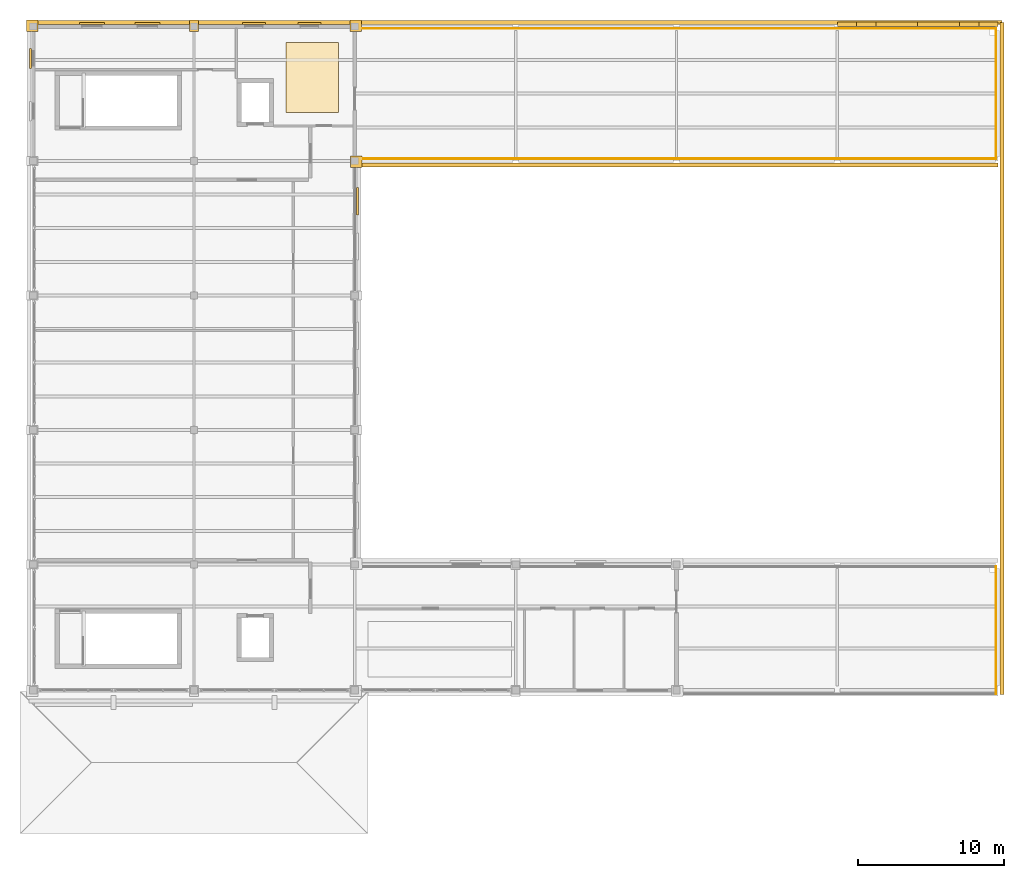
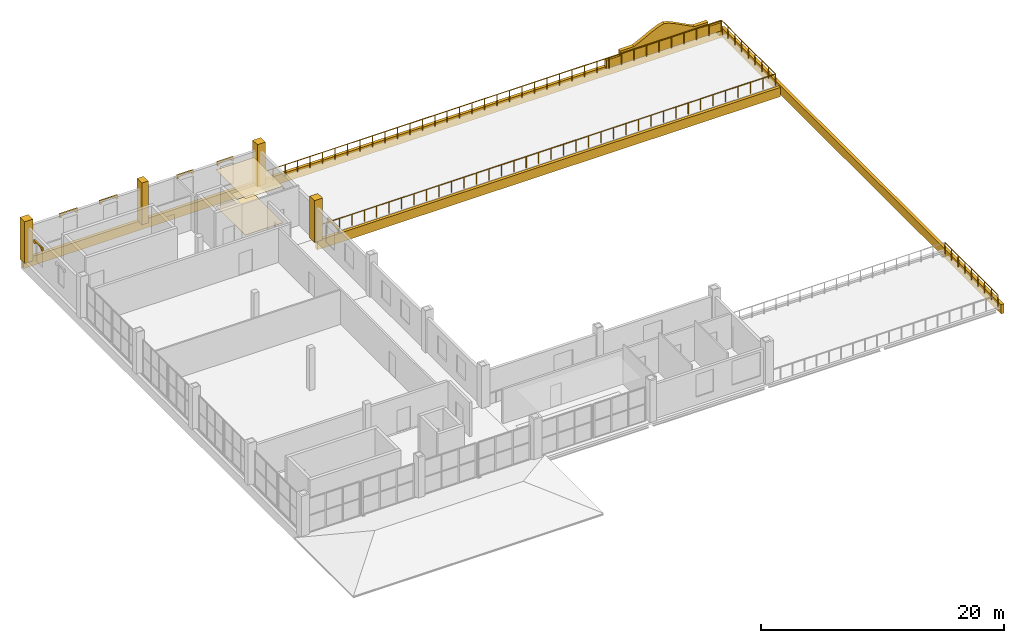
# One storey, part 26 of 26: 16 coverings, 4 railings.
"""IFC4 building model written with IfcOpenShell, lengths in metres."""

from ifc_helpers import new_model, si_unit, direction, frame, frame_2d, origin, origin_2d, place, context, subcontext, project, spatial, polyline, rectangle, circle, outline, extrude, material, layer, layer_set, type_object, element, save


model = new_model("IFC4")

# Units and contexts
model_context = context("Model", 3, precision=1e-05, world=origin(), true_north=direction((0.0, 1.0)))
body_context = subcontext(model_context, "Body", "Model", "MODEL_VIEW")
ifc_project = project(units=[si_unit("LENGTHUNIT", "METRE"), si_unit("AREAUNIT", "SQUARE_METRE"), si_unit("VOLUMEUNIT", "CUBIC_METRE"), si_unit("PLANEANGLEUNIT", "RADIAN"), si_unit("MASSUNIT", "GRAM", prefix="KILO")], contexts=[model_context])

# Site, building, storey
site_placement = place(None, origin())
site = spatial("IfcSite", under=ifc_project, at=site_placement, CompositionType="ELEMENT")
building_placement = place(site_placement, origin())
building = spatial("IfcBuilding", under=site, at=building_placement, Name="Caurita Quay Ferry Terminal", CompositionType="ELEMENT")
storey_placement = place(building_placement, frame((0.0, 0.0, 18.300048828125)))
storey = spatial("IfcBuildingStorey", under=building, at=storey_placement, Name="L04", CompositionType="ELEMENT", Elevation=18.300048828125)

# Coverings
ifc_material_1 = material(Name="Acoustic mineral fibre tile", Category="finish")
ifc_layer_1 = layer(ifc_material_1, 0.02001953125, Name="Acoustic mineral-fibre suspended ceiling 20 mm")
ifc_layer_set_1 = layer_set([ifc_layer_1], Name="Acoustic mineral fibre tile")
covering_type_1 = type_object("IfcCoveringType", Name="COV-CEIL-020", PredefinedType="CEILING", material=ifc_layer_set_1)
covering_1_placement = place(storey_placement, frame((0.0, 0.0, 3.66455078125)))
element("IfcCovering", 1, at=covering_1_placement, inside=storey, type_object=covering_type_1, Name="Port Emergency Radio and AIS Equipment Room Acoustic Ceiling", PredefinedType="CEILING", context=body_context, shape_type="SweptSolid", body=[
    extrude(outline(polyline([(17.300048828125, 111.10009765625), (20.89990234375, 111.10009765625), (20.89990234375, 115.89990234375), (17.300048828125, 115.89990234375), (17.300048828125, 111.10009765625)])), origin(), (0.0, 0.0, 1.0), 0.02001953125),
])
ifc_material_2 = material(Name="Coral stone ashlar cladding", Category="masonry")
ifc_layer_2 = layer(ifc_material_2, 0.239990234375, Name="Classical coral-stone entablature and cornice moulding 240 mm")
ifc_layer_set_2 = layer_set([ifc_layer_2], Name="Coral stone ashlar cladding")
covering_type_2 = type_object("IfcCoveringType", Name="COV-ENT-MLD", PredefinedType="MOLDING", material=ifc_layer_set_2)
covering_2_placement = place(storey_placement, frame((66.25, 117.280029296875, -0.85009765625), z_axis=(0.0, 0.0, 1.0), x_axis=(-1.0, 0.0, 0.0)))
element("IfcCovering", 2, at=covering_2_placement, inside=storey, type_object=covering_type_2, Name="L04 Classical Entablature Cornice 004", PredefinedType="MOLDING", context=body_context, shape_type="SweptSolid", body=[
    extrude(rectangle(XDim=66.530029296875, YDim=0.280029296875, at=frame_2d((33.26513671875, 0.0))), origin(), (0.0, 0.0, 1.0), 0.929931640625),
])
covering_3_placement = place(storey_placement, frame((66.260009765625, 71.300048828125, -0.85009765625), z_axis=(0.0, 0.0, 1.0), x_axis=(0.0, 1.0, 0.0)))
element("IfcCovering", 3, at=covering_3_placement, inside=storey, type_object=covering_type_2, Name="L04 Classical Entablature Cornice 014", PredefinedType="MOLDING", context=body_context, shape_type="SweptSolid", body=[
    extrude(rectangle(XDim=45.97998046875, YDim=0.280029296875, at=frame_2d((22.989990234375, 0.0))), origin(), (0.0, 0.0, 1.0), 0.929931640625),
])
covering_4_placement = place(storey_placement, frame((66.0, 107.52001953125, -0.85009765625), z_axis=(0.0, 0.0, 1.0), x_axis=(-1.0, 0.0, 0.0)))
element("IfcCovering", 4, at=covering_4_placement, inside=storey, type_object=covering_type_2, Name="L04 Classical Entablature Cornice 032", PredefinedType="MOLDING", context=body_context, shape_type="SweptSolid", body=[
    extrude(rectangle(XDim=44.0, YDim=0.280029296875, at=frame_2d((22.0, 0.0))), origin(), (0.0, 0.0, 1.0), 0.929931640625),
])
ifc_material_3 = material(Name="Warm-white lime stucco masonry", Category="masonry")
ifc_layer_3 = layer(ifc_material_3, 0.280029296875, Name="Shaped Spanish Colonial espadana mission parapet gable 280 mm")
ifc_layer_set_3 = layer_set([ifc_layer_3], Name="Warm-white lime stucco masonry")
covering_type_3 = type_object("IfcCoveringType", Name="COV-ESP-MLD", PredefinedType="MOLDING", material=ifc_layer_set_3)
covering_5_placement = place(storey_placement, frame((66.0, 117.14990234375, -0.050048828125), z_axis=(0.0, 0.0, 1.0), x_axis=(-1.0, 0.0, 0.0)))
element("IfcCovering", 5, at=covering_5_placement, inside=storey, type_object=covering_type_3, Name="North Street Upper Espadana Mission Gable 072", PredefinedType="MOLDING", context=body_context, shape_type="SweptSolid", body=[
    extrude(outline(polyline([(0.0, 0.0), (11.0, 0.0), (11.0, 0.85009765625), (9.679931640625, 0.85009765625), (9.679931640625, 1.330078125), (8.360107421875, 1.330078125), (7.47998046875, 1.77001953125), (6.60009765625, 2.22998046875), (5.93994140625, 2.530029296875), (5.5, 2.630126953125), (5.06005859375, 2.530029296875), (4.39990234375, 2.22998046875), (3.52001953125, 1.77001953125), (2.639892578125, 1.330078125), (1.320068359375, 1.330078125), (1.320068359375, 0.85009765625), (0.0, 0.85009765625), (0.0, 0.0)])), frame((0.0, 0.16015625, 0.0), z_axis=(0.0, -1.0, 0.0), x_axis=(1.0, 0.0, 0.0)), (0.0, 0.0, 1.0), 0.320068359375),
])
ifc_material_4 = material(Name="Polished marine terrazzo tile", Category="finish")
ifc_layer_4 = layer(ifc_material_4, 0.02490234375, Name="Polished marine terrazzo floor finish 25 mm")
ifc_layer_set_4 = layer_set([ifc_layer_4], Name="Polished marine terrazzo tile")
covering_type_4 = type_object("IfcCoveringType", Name="COV-FLR-025", PredefinedType="FLOORING", material=ifc_layer_set_4)
covering_6_placement = place(storey_placement, origin())
element("IfcCovering", 6, at=covering_6_placement, inside=storey, type_object=covering_type_4, Name="Port Emergency Radio and AIS Equipment Room Terrazzo Flooring", PredefinedType="FLOORING", context=body_context, shape_type="SweptSolid", body=[
    extrude(outline(polyline([(17.300048828125, 111.10009765625), (20.89990234375, 111.10009765625), (20.89990234375, 115.89990234375), (17.300048828125, 115.89990234375), (17.300048828125, 111.10009765625)])), origin(), (0.0, 0.0, 1.0), 0.02490234375),
])
ifc_layer_5 = layer(ifc_material_3, 0.179931640625, Name="Classical engaged lime-stucco facade pilaster cladding 180 mm")
ifc_layer_set_5 = layer_set([ifc_layer_5], Name="Warm-white lime stucco masonry")
covering_type_5 = type_object("IfcCoveringType", Name="COV-PIL-CLD", PredefinedType="CLADDING", material=ifc_layer_set_5)
covering_7_placement = place(storey_placement, frame((-0.050048828125, 117.050048828125, 0.0), z_axis=(0.0, 0.0, 1.0), x_axis=(1.0, 0.0, 0.0)))
element("IfcCovering", 7, at=covering_7_placement, inside=storey, type_object=covering_type_5, Name="L04 Classical Engaged Pilaster 0295", PredefinedType="CLADDING", context=body_context, shape_type="SweptSolid", body=[
    extrude(rectangle(XDim=0.780029296875, YDim=0.780029296875, at=origin_2d()), origin(), (0.0, 0.0, 1.0), 4.199951171875),
])
covering_8_placement = place(storey_placement, frame((11.0, 117.050048828125, 0.0), z_axis=(0.0, 0.0, 1.0), x_axis=(1.0, 0.0, 0.0)))
element("IfcCovering", 8, at=covering_8_placement, inside=storey, type_object=covering_type_5, Name="L04 Classical Engaged Pilaster 0305", PredefinedType="CLADDING", context=body_context, shape_type="SweptSolid", body=[
    extrude(rectangle(XDim=0.6201171875, YDim=0.780029296875, at=origin_2d()), origin(), (0.0, 0.0, 1.0), 4.199951171875),
])
for number, where, z_axis, x_axis, name in (
    (9, (22.10009765625, 107.75, 0.0), (0.0, 0.0, 1.0), (1.0, 0.0, 0.0), "L04 Classical Engaged Pilaster 0322"),
    (10, (22.050048828125, 117.050048828125, 0.0), (0.0, 0.0, 1.0), (1.0, 0.0, 0.0), "L04 Classical Engaged Pilaster 0327"),
):
    element("IfcCovering", number, at=place(storey_placement, frame(where, z_axis=z_axis, x_axis=x_axis)), inside=storey, type_object=covering_type_5, Name=name, PredefinedType="CLADDING", context=body_context, shape_type="SweptSolid", body=[
        extrude(rectangle(XDim=0.780029296875, YDim=0.780029296875, at=origin_2d()), origin(), (0.0, 0.0, 1.0), 4.199951171875),
    ])
ifc_layer_6 = layer(ifc_material_2, 0.139892578125, Name="Spanish Colonial semicircular arched window surround 140 mm")
ifc_layer_set_6 = layer_set([ifc_layer_6], Name="Coral stone ashlar cladding")
covering_type_6 = type_object("IfcCoveringType", Name="COV-WHD-MLD", PredefinedType="MOLDING", material=ifc_layer_set_6)
for number, where, z_axis, x_axis, name in (
    (11, (8.679931640625, 117.18994140625, 3.030029296875), (0.0, 0.0, 1.0), (-1.0, 0.0, 0.0), "L04 Arched Window Surround 023"),
    (12, (4.8798828125, 117.18994140625, 3.030029296875), (0.0, 0.0, 1.0), (-1.0, 0.0, 0.0), "L04 Arched Window Surround 024"),
):
    element("IfcCovering", number, at=place(storey_placement, frame(where, z_axis=z_axis, x_axis=x_axis)), inside=storey, type_object=covering_type_6, Name=name, PredefinedType="MOLDING", context=body_context, shape_type="SweptSolid", body=[
        extrude(outline(polyline([(0.0, 0.0), (0.159912109375, 0.0), (0.159912109375, 0.0400390625), (0.194091796875, 0.12548828125), (0.292724609375, 0.202880859375), (0.446533203125, 0.26416015625), (0.64013671875, 0.303466796875), (0.85498046875, 0.31689453125), (1.06982421875, 0.303466796875), (1.263427734375, 0.26416015625), (1.417236328125, 0.202880859375), (1.515869140625, 0.12548828125), (1.550048828125, 0.0400390625), (1.550048828125, 0.0), (1.7099609375, 0.0), (1.7099609375, 0.396484375), (0.0, 0.396484375), (0.0, 0.0)])), frame((0.0, 0.06982421875, 0.0), z_axis=(0.0, -1.0, 0.0), x_axis=(1.0, 0.0, 0.0)), (0.0, 0.0, 1.0), 0.139892578125),
    ])
for number, where, z_axis, x_axis, name in (
    (13, (19.679931640625, 117.18994140625, 3.030029296875), (0.0, 0.0, 1.0), (-1.0, 0.0, 0.0), "L04 Arched Window Surround 025"),
    (14, (15.8798828125, 117.18994140625, 3.030029296875), (0.0, 0.0, 1.0), (-1.0, 0.0, 0.0), "L04 Arched Window Surround 026"),
):
    element("IfcCovering", number, at=place(storey_placement, frame(where, z_axis=z_axis, x_axis=x_axis)), inside=storey, type_object=covering_type_6, Name=name, PredefinedType="MOLDING", context=body_context, shape_type="SweptSolid", body=[
        extrude(outline(polyline([(0.0, 0.0), (0.159912109375, 0.0), (0.159912109375, 0.0400390625), (0.1904296875, 0.12158203125), (0.2783203125, 0.195068359375), (0.41552734375, 0.253662109375), (0.58837890625, 0.291015625), (0.77978515625, 0.303955078125), (0.971435546875, 0.291015625), (1.144287109375, 0.253662109375), (1.281494140625, 0.195068359375), (1.369384765625, 0.12158203125), (1.39990234375, 0.0400390625), (1.39990234375, 0.0), (1.559814453125, 0.0), (1.559814453125, 0.384033203125), (0.0, 0.384033203125), (0.0, 0.0)])), frame((0.0, 0.06982421875, 0.0), z_axis=(0.0, -1.0, 0.0), x_axis=(1.0, 0.0, 0.0)), (0.0, 0.0, 1.0), 0.139892578125),
    ])
covering_9_placement = place(storey_placement, frame((-0.18994140625, 115.4951171875, 2.72998046875), z_axis=(0.0, 0.0, 1.0), x_axis=(0.0, -1.0, 0.0)))
element("IfcCovering", 15, at=covering_9_placement, inside=storey, type_object=covering_type_6, Name="L04 Arched Window Surround 054", PredefinedType="MOLDING", context=body_context, shape_type="SweptSolid", body=[
    extrude(outline(polyline([(0.0, 0.0), (0.159912109375, 0.0), (0.159912109375, 0.0400390625), (0.185546875, 0.101806640625), (0.25927734375, 0.157470703125), (0.374267578125, 0.201904296875), (0.519287109375, 0.230224609375), (0.679931640625, 0.239990234375), (0.8408203125, 0.230224609375), (0.98583984375, 0.201904296875), (1.100830078125, 0.157470703125), (1.174560546875, 0.101806640625), (1.2001953125, 0.0400390625), (1.2001953125, 0.0), (1.360107421875, 0.0), (1.360107421875, 0.320068359375), (0.0, 0.320068359375), (0.0, 0.0)])), frame((0.0, 0.06982421875, 0.0), z_axis=(0.0, -1.0, 0.0), x_axis=(1.0, 0.0, 0.0)), (0.0, 0.0, 1.0), 0.139892578125),
])
covering_10_placement = place(storey_placement, frame((22.18994140625, 104.1201171875, 2.72998046875), z_axis=(0.0, 0.0, 1.0), x_axis=(0.0, 1.0, 0.0)))
element("IfcCovering", 16, at=covering_10_placement, inside=storey, type_object=covering_type_6, Name="L04 Arched Window Surround 104", PredefinedType="MOLDING", context=body_context, shape_type="SweptSolid", body=[
    extrude(outline(polyline([(0.0, 0.0), (0.159912109375, 0.0), (0.159912109375, 0.0400390625), (0.19775390625, 0.1513671875), (0.30712890625, 0.251708984375), (0.477294921875, 0.331298828125), (0.69189453125, 0.38232421875), (0.929931640625, 0.39990234375), (1.16796875, 0.38232421875), (1.382568359375, 0.331298828125), (1.552734375, 0.251708984375), (1.662109375, 0.1513671875), (1.699951171875, 0.0400390625), (1.699951171875, 0.0), (1.85986328125, 0.0), (1.85986328125, 0.47998046875), (0.0, 0.47998046875), (0.0, 0.0)])), frame((0.0, 0.06982421875, 0.0), z_axis=(0.0, -1.0, 0.0), x_axis=(1.0, 0.0, 0.0)), (0.0, 0.0, 1.0), 0.139892578125),
])

# Railings
ifc_material_5 = material(Name="Bronze architectural metalwork", Category="metal")
railing_type = type_object("IfcRailingType", Name="RL-REJA-115", PredefinedType="BALUSTRADE", material=ifc_material_5)
railing_1_placement = place(storey_placement, frame((65.85009765625, 71.35009765625, 0.0)))
element("IfcRailing", 17, at=railing_1_placement, inside=storey, type_object=railing_type, Name="L04 South Watch Terrace Balustrade (073)", PredefinedType="BALUSTRADE", context=body_context, shape_type="SweptSolid", body=[
    extrude(circle(Radius=0.02392578125, at=origin_2d()), frame((0.0, 0.0, 1.1259765625), z_axis=(0.0, 1.0, 0.0), x_axis=(-1.0, 0.0, 0.0)), (0.0, 0.0, 1.0), 8.699951171875),
    extrude(circle(Radius=0.02099609375, at=origin_2d()), origin(), (0.0, 0.0, 1.0), 1.101806640625),
    extrude(circle(Radius=0.02099609375, at=origin_2d()), frame((0.0, 1.08740234375, 0.0)), (0.0, 0.0, 1.0), 1.101806640625),
    extrude(circle(Radius=0.02099609375, at=origin_2d()), frame((0.0, 2.175048828125, 0.0)), (0.0, 0.0, 1.0), 1.101806640625),
    extrude(circle(Radius=0.02099609375, at=origin_2d()), frame((0.0, 3.262451171875, 0.0)), (0.0, 0.0, 1.0), 1.101806640625),
    extrude(circle(Radius=0.02099609375, at=origin_2d()), frame((0.0, 4.35009765625, 0.0)), (0.0, 0.0, 1.0), 1.101806640625),
    extrude(circle(Radius=0.02099609375, at=origin_2d()), frame((0.0, 5.4375, 0.0)), (0.0, 0.0, 1.0), 1.101806640625),
    extrude(circle(Radius=0.02099609375, at=origin_2d()), frame((0.0, 6.52490234375, 0.0)), (0.0, 0.0, 1.0), 1.101806640625),
    extrude(circle(Radius=0.02099609375, at=origin_2d()), frame((0.0, 7.612548828125, 0.0)), (0.0, 0.0, 1.0), 1.101806640625),
    extrude(circle(Radius=0.02099609375, at=origin_2d()), frame((0.0, 8.699951171875, 0.0)), (0.0, 0.0, 1.0), 1.101806640625),
])
railing_2_placement = place(storey_placement, frame((22.050048828125, 107.949951171875, 0.0)))
element("IfcRailing", 18, at=railing_2_placement, inside=storey, type_object=railing_type, Name="L04 North Watch Terrace Balustrade (075)", PredefinedType="BALUSTRADE", context=body_context, shape_type="SweptSolid", body=[
    extrude(circle(Radius=0.02392578125, at=origin_2d()), frame((0.0, 0.0, 1.1259765625), z_axis=(1.0, 0.0, 0.0), x_axis=(0.0, 1.0, 0.0)), (0.0, 0.0, 1.0), 43.800048828125),
    extrude(circle(Radius=0.02099609375, at=origin_2d()), origin(), (0.0, 0.0, 1.0), 1.101806640625),
    extrude(circle(Radius=0.02099609375, at=origin_2d()), frame((1.183837890625, 0.0, 0.0)), (0.0, 0.0, 1.0), 1.101806640625),
    extrude(circle(Radius=0.02099609375, at=origin_2d()), frame((2.36767578125, 0.0, 0.0)), (0.0, 0.0, 1.0), 1.101806640625),
    extrude(circle(Radius=0.02099609375, at=origin_2d()), frame((3.55126953125, 0.0, 0.0)), (0.0, 0.0, 1.0), 1.101806640625),
    extrude(circle(Radius=0.02099609375, at=origin_2d()), frame((4.735107421875, 0.0, 0.0)), (0.0, 0.0, 1.0), 1.101806640625),
    extrude(circle(Radius=0.02099609375, at=origin_2d()), frame((5.9189453125, 0.0, 0.0)), (0.0, 0.0, 1.0), 1.101806640625),
    extrude(circle(Radius=0.02099609375, at=origin_2d()), frame((7.102783203125, 0.0, 0.0)), (0.0, 0.0, 1.0), 1.101806640625),
    extrude(circle(Radius=0.02099609375, at=origin_2d()), frame((8.286376953125, 0.0, 0.0)), (0.0, 0.0, 1.0), 1.101806640625),
    extrude(circle(Radius=0.02099609375, at=origin_2d()), frame((9.47021484375, 0.0, 0.0)), (0.0, 0.0, 1.0), 1.101806640625),
    extrude(circle(Radius=0.02099609375, at=origin_2d()), frame((10.654052734375, 0.0, 0.0)), (0.0, 0.0, 1.0), 1.101806640625),
    extrude(circle(Radius=0.02099609375, at=origin_2d()), frame((11.837890625, 0.0, 0.0)), (0.0, 0.0, 1.0), 1.101806640625),
    extrude(circle(Radius=0.02099609375, at=origin_2d()), frame((13.021728515625, 0.0, 0.0)), (0.0, 0.0, 1.0), 1.101806640625),
    extrude(circle(Radius=0.02099609375, at=origin_2d()), frame((14.205322265625, 0.0, 0.0)), (0.0, 0.0, 1.0), 1.101806640625),
    extrude(circle(Radius=0.02099609375, at=origin_2d()), frame((15.38916015625, 0.0, 0.0)), (0.0, 0.0, 1.0), 1.101806640625),
    extrude(circle(Radius=0.02099609375, at=origin_2d()), frame((16.572998046875, 0.0, 0.0)), (0.0, 0.0, 1.0), 1.101806640625),
    extrude(circle(Radius=0.02099609375, at=origin_2d()), frame((17.7568359375, 0.0, 0.0)), (0.0, 0.0, 1.0), 1.101806640625),
    extrude(circle(Radius=0.02099609375, at=origin_2d()), frame((18.940673828125, 0.0, 0.0)), (0.0, 0.0, 1.0), 1.101806640625),
    extrude(circle(Radius=0.02099609375, at=origin_2d()), frame((20.124267578125, 0.0, 0.0)), (0.0, 0.0, 1.0), 1.101806640625),
    extrude(circle(Radius=0.02099609375, at=origin_2d()), frame((21.30810546875, 0.0, 0.0)), (0.0, 0.0, 1.0), 1.101806640625),
    extrude(circle(Radius=0.02099609375, at=origin_2d()), frame((22.491943359375, 0.0, 0.0)), (0.0, 0.0, 1.0), 1.101806640625),
    extrude(circle(Radius=0.02099609375, at=origin_2d()), frame((23.67578125, 0.0, 0.0)), (0.0, 0.0, 1.0), 1.101806640625),
    extrude(circle(Radius=0.02099609375, at=origin_2d()), frame((24.859375, 0.0, 0.0)), (0.0, 0.0, 1.0), 1.101806640625),
    extrude(circle(Radius=0.02099609375, at=origin_2d()), frame((26.043212890625, 0.0, 0.0)), (0.0, 0.0, 1.0), 1.101806640625),
    extrude(circle(Radius=0.02099609375, at=origin_2d()), frame((27.22705078125, 0.0, 0.0)), (0.0, 0.0, 1.0), 1.101806640625),
    extrude(circle(Radius=0.02099609375, at=origin_2d()), frame((28.410888671875, 0.0, 0.0)), (0.0, 0.0, 1.0), 1.101806640625),
    extrude(circle(Radius=0.02099609375, at=origin_2d()), frame((29.5947265625, 0.0, 0.0)), (0.0, 0.0, 1.0), 1.101806640625),
    extrude(circle(Radius=0.02099609375, at=origin_2d()), frame((30.7783203125, 0.0, 0.0)), (0.0, 0.0, 1.0), 1.101806640625),
    extrude(circle(Radius=0.02099609375, at=origin_2d()), frame((31.962158203125, 0.0, 0.0)), (0.0, 0.0, 1.0), 1.101806640625),
    extrude(circle(Radius=0.02099609375, at=origin_2d()), frame((33.14599609375, 0.0, 0.0)), (0.0, 0.0, 1.0), 1.101806640625),
    extrude(circle(Radius=0.02099609375, at=origin_2d()), frame((34.329833984375, 0.0, 0.0)), (0.0, 0.0, 1.0), 1.101806640625),
    extrude(circle(Radius=0.02099609375, at=origin_2d()), frame((35.513671875, 0.0, 0.0)), (0.0, 0.0, 1.0), 1.101806640625),
    extrude(circle(Radius=0.02099609375, at=origin_2d()), frame((36.697265625, 0.0, 0.0)), (0.0, 0.0, 1.0), 1.101806640625),
    extrude(circle(Radius=0.02099609375, at=origin_2d()), frame((37.881103515625, 0.0, 0.0)), (0.0, 0.0, 1.0), 1.101806640625),
    extrude(circle(Radius=0.02099609375, at=origin_2d()), frame((39.06494140625, 0.0, 0.0)), (0.0, 0.0, 1.0), 1.101806640625),
    extrude(circle(Radius=0.02099609375, at=origin_2d()), frame((40.248779296875, 0.0, 0.0)), (0.0, 0.0, 1.0), 1.101806640625),
    extrude(circle(Radius=0.02099609375, at=origin_2d()), frame((41.432373046875, 0.0, 0.0)), (0.0, 0.0, 1.0), 1.101806640625),
    extrude(circle(Radius=0.02099609375, at=origin_2d()), frame((42.6162109375, 0.0, 0.0)), (0.0, 0.0, 1.0), 1.101806640625),
    extrude(circle(Radius=0.02099609375, at=origin_2d()), frame((43.800048828125, 0.0, 0.0)), (0.0, 0.0, 1.0), 1.101806640625),
])
railing_3_placement = place(storey_placement, frame((65.85009765625, 107.949951171875, 0.0)))
element("IfcRailing", 19, at=railing_3_placement, inside=storey, type_object=railing_type, Name="L04 North Watch Terrace Balustrade (076)", PredefinedType="BALUSTRADE", context=body_context, shape_type="SweptSolid", body=[
    extrude(circle(Radius=0.02392578125, at=origin_2d()), frame((0.0, 0.0, 1.1259765625), z_axis=(0.0, 1.0, 0.0), x_axis=(-1.0, 0.0, 0.0)), (0.0, 0.0, 1.0), 8.900146484375),
    extrude(circle(Radius=0.02099609375, at=origin_2d()), origin(), (0.0, 0.0, 1.0), 1.101806640625),
    extrude(circle(Radius=0.02099609375, at=origin_2d()), frame((0.0, 1.112548828125, 0.0)), (0.0, 0.0, 1.0), 1.101806640625),
    extrude(circle(Radius=0.02099609375, at=origin_2d()), frame((0.0, 2.22509765625, 0.0)), (0.0, 0.0, 1.0), 1.101806640625),
    extrude(circle(Radius=0.02099609375, at=origin_2d()), frame((0.0, 3.337646484375, 0.0)), (0.0, 0.0, 1.0), 1.101806640625),
    extrude(circle(Radius=0.02099609375, at=origin_2d()), frame((0.0, 4.4501953125, 0.0)), (0.0, 0.0, 1.0), 1.101806640625),
    extrude(circle(Radius=0.02099609375, at=origin_2d()), frame((0.0, 5.5625, 0.0)), (0.0, 0.0, 1.0), 1.101806640625),
    extrude(circle(Radius=0.02099609375, at=origin_2d()), frame((0.0, 6.675048828125, 0.0)), (0.0, 0.0, 1.0), 1.101806640625),
    extrude(circle(Radius=0.02099609375, at=origin_2d()), frame((0.0, 7.78759765625, 0.0)), (0.0, 0.0, 1.0), 1.101806640625),
    extrude(circle(Radius=0.02099609375, at=origin_2d()), frame((0.0, 8.900146484375, 0.0)), (0.0, 0.0, 1.0), 1.101806640625),
])
railing_4_placement = place(storey_placement, frame((65.85009765625, 116.85009765625, 0.0)))
element("IfcRailing", 20, at=railing_4_placement, inside=storey, type_object=railing_type, Name="L04 North Watch Terrace Balustrade (077)", PredefinedType="BALUSTRADE", context=body_context, shape_type="SweptSolid", body=[
    extrude(circle(Radius=0.02392578125, at=origin_2d()), frame((0.0, 0.0, 1.1259765625), z_axis=(-1.0, 0.0, 0.0), x_axis=(0.0, -1.0, 0.0)), (0.0, 0.0, 1.0), 43.800048828125),
    extrude(circle(Radius=0.02099609375, at=origin_2d()), origin(), (0.0, 0.0, 1.0), 1.101806640625),
    extrude(circle(Radius=0.02099609375, at=origin_2d()), frame((-1.183837890625, 0.0, 0.0)), (0.0, 0.0, 1.0), 1.101806640625),
    extrude(circle(Radius=0.02099609375, at=origin_2d()), frame((-2.36767578125, 0.0, 0.0)), (0.0, 0.0, 1.0), 1.101806640625),
    extrude(circle(Radius=0.02099609375, at=origin_2d()), frame((-3.55126953125, 0.0, 0.0)), (0.0, 0.0, 1.0), 1.101806640625),
    extrude(circle(Radius=0.02099609375, at=origin_2d()), frame((-4.735107421875, 0.0, 0.0)), (0.0, 0.0, 1.0), 1.101806640625),
    extrude(circle(Radius=0.02099609375, at=origin_2d()), frame((-5.9189453125, 0.0, 0.0)), (0.0, 0.0, 1.0), 1.101806640625),
    extrude(circle(Radius=0.02099609375, at=origin_2d()), frame((-7.102783203125, 0.0, 0.0)), (0.0, 0.0, 1.0), 1.101806640625),
    extrude(circle(Radius=0.02099609375, at=origin_2d()), frame((-8.286376953125, 0.0, 0.0)), (0.0, 0.0, 1.0), 1.101806640625),
    extrude(circle(Radius=0.02099609375, at=origin_2d()), frame((-9.47021484375, 0.0, 0.0)), (0.0, 0.0, 1.0), 1.101806640625),
    extrude(circle(Radius=0.02099609375, at=origin_2d()), frame((-10.654052734375, 0.0, 0.0)), (0.0, 0.0, 1.0), 1.101806640625),
    extrude(circle(Radius=0.02099609375, at=origin_2d()), frame((-11.837890625, 0.0, 0.0)), (0.0, 0.0, 1.0), 1.101806640625),
    extrude(circle(Radius=0.02099609375, at=origin_2d()), frame((-13.021728515625, 0.0, 0.0)), (0.0, 0.0, 1.0), 1.101806640625),
    extrude(circle(Radius=0.02099609375, at=origin_2d()), frame((-14.205322265625, 0.0, 0.0)), (0.0, 0.0, 1.0), 1.101806640625),
    extrude(circle(Radius=0.02099609375, at=origin_2d()), frame((-15.38916015625, 0.0, 0.0)), (0.0, 0.0, 1.0), 1.101806640625),
    extrude(circle(Radius=0.02099609375, at=origin_2d()), frame((-16.572998046875, 0.0, 0.0)), (0.0, 0.0, 1.0), 1.101806640625),
    extrude(circle(Radius=0.02099609375, at=origin_2d()), frame((-17.7568359375, 0.0, 0.0)), (0.0, 0.0, 1.0), 1.101806640625),
    extrude(circle(Radius=0.02099609375, at=origin_2d()), frame((-18.940673828125, 0.0, 0.0)), (0.0, 0.0, 1.0), 1.101806640625),
    extrude(circle(Radius=0.02099609375, at=origin_2d()), frame((-20.124267578125, 0.0, 0.0)), (0.0, 0.0, 1.0), 1.101806640625),
    extrude(circle(Radius=0.02099609375, at=origin_2d()), frame((-21.30810546875, 0.0, 0.0)), (0.0, 0.0, 1.0), 1.101806640625),
    extrude(circle(Radius=0.02099609375, at=origin_2d()), frame((-22.491943359375, 0.0, 0.0)), (0.0, 0.0, 1.0), 1.101806640625),
    extrude(circle(Radius=0.02099609375, at=origin_2d()), frame((-23.67578125, 0.0, 0.0)), (0.0, 0.0, 1.0), 1.101806640625),
    extrude(circle(Radius=0.02099609375, at=origin_2d()), frame((-24.859375, 0.0, 0.0)), (0.0, 0.0, 1.0), 1.101806640625),
    extrude(circle(Radius=0.02099609375, at=origin_2d()), frame((-26.043212890625, 0.0, 0.0)), (0.0, 0.0, 1.0), 1.101806640625),
    extrude(circle(Radius=0.02099609375, at=origin_2d()), frame((-27.22705078125, 0.0, 0.0)), (0.0, 0.0, 1.0), 1.101806640625),
    extrude(circle(Radius=0.02099609375, at=origin_2d()), frame((-28.410888671875, 0.0, 0.0)), (0.0, 0.0, 1.0), 1.101806640625),
    extrude(circle(Radius=0.02099609375, at=origin_2d()), frame((-29.5947265625, 0.0, 0.0)), (0.0, 0.0, 1.0), 1.101806640625),
    extrude(circle(Radius=0.02099609375, at=origin_2d()), frame((-30.7783203125, 0.0, 0.0)), (0.0, 0.0, 1.0), 1.101806640625),
    extrude(circle(Radius=0.02099609375, at=origin_2d()), frame((-31.962158203125, 0.0, 0.0)), (0.0, 0.0, 1.0), 1.101806640625),
    extrude(circle(Radius=0.02099609375, at=origin_2d()), frame((-33.14599609375, 0.0, 0.0)), (0.0, 0.0, 1.0), 1.101806640625),
    extrude(circle(Radius=0.02099609375, at=origin_2d()), frame((-34.329833984375, 0.0, 0.0)), (0.0, 0.0, 1.0), 1.101806640625),
    extrude(circle(Radius=0.02099609375, at=origin_2d()), frame((-35.513671875, 0.0, 0.0)), (0.0, 0.0, 1.0), 1.101806640625),
    extrude(circle(Radius=0.02099609375, at=origin_2d()), frame((-36.697265625, 0.0, 0.0)), (0.0, 0.0, 1.0), 1.101806640625),
    extrude(circle(Radius=0.02099609375, at=origin_2d()), frame((-37.881103515625, 0.0, 0.0)), (0.0, 0.0, 1.0), 1.101806640625),
    extrude(circle(Radius=0.02099609375, at=origin_2d()), frame((-39.06494140625, 0.0, 0.0)), (0.0, 0.0, 1.0), 1.101806640625),
    extrude(circle(Radius=0.02099609375, at=origin_2d()), frame((-40.248779296875, 0.0, 0.0)), (0.0, 0.0, 1.0), 1.101806640625),
    extrude(circle(Radius=0.02099609375, at=origin_2d()), frame((-41.432373046875, 0.0, 0.0)), (0.0, 0.0, 1.0), 1.101806640625),
    extrude(circle(Radius=0.02099609375, at=origin_2d()), frame((-42.6162109375, 0.0, 0.0)), (0.0, 0.0, 1.0), 1.101806640625),
    extrude(circle(Radius=0.02099609375, at=origin_2d()), frame((-43.800048828125, 0.0, 0.0)), (0.0, 0.0, 1.0), 1.101806640625),
])

save(model, "model.ifc")
